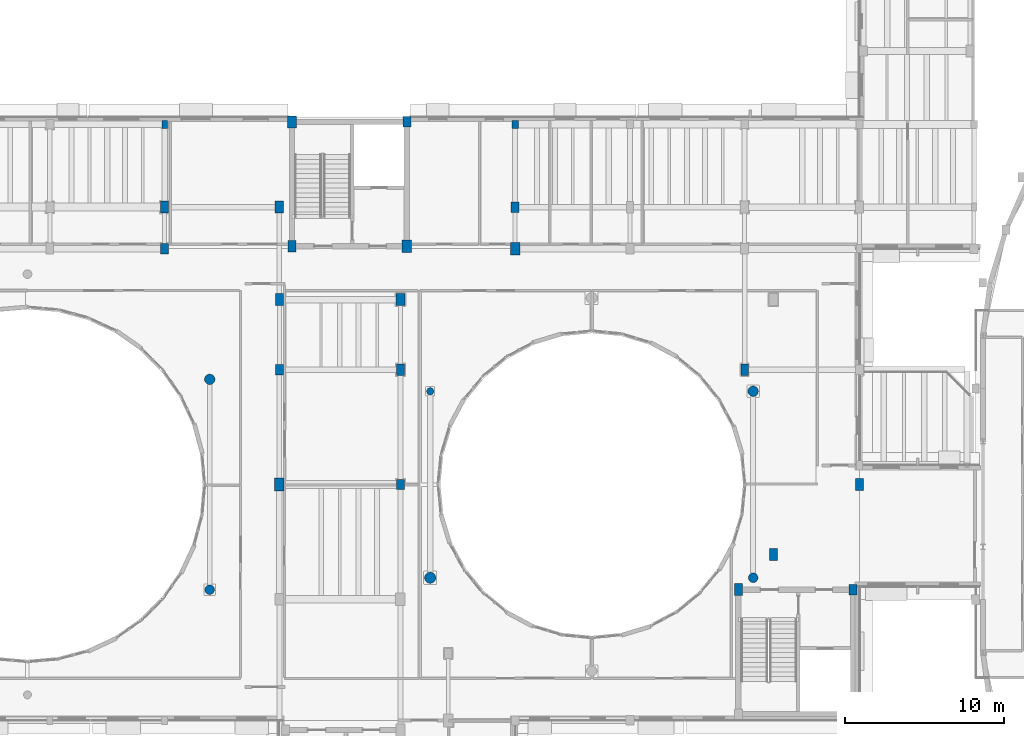
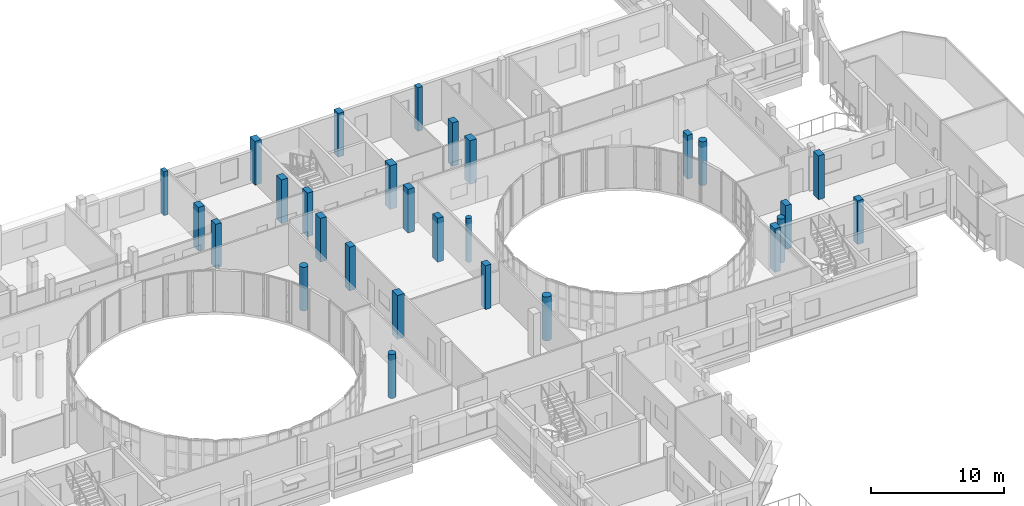
# One storey, part 9 of 92: 28 columns.
"""IFC4 building model written with IfcOpenShell, lengths in metres."""

from ifc_helpers import new_model, si_unit, direction, frame, origin, origin_2d, place, context, subcontext, project, spatial, rectangle, circle, extrude, material, material_profile, profile_set, type_object, element, save


model = new_model("IFC4")

# Units and contexts
model_context = context("Model", 3, precision=1e-05, world=origin(), true_north=direction((0.0, 1.0)))
body_context = subcontext(model_context, "Body", "Model", "MODEL_VIEW")
ifc_project = project(units=[si_unit("LENGTHUNIT", "METRE"), si_unit("AREAUNIT", "SQUARE_METRE"), si_unit("VOLUMEUNIT", "CUBIC_METRE"), si_unit("PLANEANGLEUNIT", "RADIAN"), si_unit("MASSUNIT", "GRAM", prefix="KILO")], contexts=[model_context])

# Site, building, storey
site_placement = place(None, origin())
site = spatial("IfcSite", under=ifc_project, at=site_placement, CompositionType="ELEMENT")
building_placement = place(site_placement, origin())
building = spatial("IfcBuilding", under=site, at=building_placement, Name="Kelanivale Promenade Academy", CompositionType="ELEMENT")
storey_placement = place(building_placement, frame((0.0, 0.0, 8.199951171875)))
storey = spatial("IfcBuildingStorey", under=building, at=storey_placement, Name="L02", CompositionType="ELEMENT", Elevation=8.199951171875)

# Columns
ifc_material = material(Name="Concrete C40/50", Category="concrete")
ifc_material_profile_1 = material_profile(ifc_material, rectangle(XDim=0.449951171875, YDim=0.699951171875, at=origin_2d()), Name="RC-COL 450x700")
ifc_profile_set_1 = profile_set([ifc_material_profile_1], Name="Concrete C40/50")
column_type_1 = type_object("IfcColumnType", Name="C-10 RC-COL 450x700", PredefinedType="COLUMN", material=ifc_profile_set_1)
column_1_placement = place(storey_placement, frame((108.39990234375, 64.0, 0.0), z_axis=(0.0, 0.0, 1.0), x_axis=(1.0, 0.0, 0.0)))
element("IfcColumn", 1, at=column_1_placement, inside=storey, type_object=column_type_1, Name="Column C-10 at (108.4, 64.0) L02", PredefinedType="COLUMN", context=body_context, shape_type="SweptSolid", body=[
    extrude(rectangle(XDim=0.449951171875, YDim=0.699951171875, at=origin_2d()), origin(), (0.0, 0.0, 1.0), 4.0),
])
ifc_material_profile_2 = material_profile(ifc_material, rectangle(XDim=0.5, YDim=0.64990234375, at=origin_2d()), Name="RC-COL 500x650")
ifc_profile_set_2 = profile_set([ifc_material_profile_2], Name="Concrete C40/50")
column_type_2 = type_object("IfcColumnType", Name="C-11 RC-COL 500x650", PredefinedType="COLUMN", material=ifc_profile_set_2)
for number, where, z_axis, x_axis, name in (
    (2, (72.0, 71.60009765625, 0.0), (0.0, 0.0, 1.0), (1.0, 0.0, 0.0), "Column C-11 at (72.0, 71.6) L02"),
    (3, (79.199951171875, 64.0, 0.0), (0.0, 0.0, 1.0), (1.0, 0.0, 0.0), "Column C-11 at (79.2, 64.0) L02"),
    (4, (86.800048828125, 56.800048828125, 0.0), (0.0, 0.0, 1.0), (1.0, 0.0, 0.0), "Column C-11 at (86.8, 56.8) L02"),
    (5, (87.199951171875, 79.550048828125, 0.0), (0.0, 0.0, 1.0), (1.0, 0.0, 0.0), "Column C-11 at (87.2, 79.5) L02"),
    (6, (94.0, 74.199951171875, 0.0), (0.0, 0.0, 1.0), (1.0, 0.0, 0.0), "Column C-11 at (94.0, 74.2) L02"),
    (7, (115.199951171875, 50.199951171875, 0.0), (0.0, 0.0, 1.0), (1.0, 0.0, 0.0), "Column C-11 at (115.2, 50.2) L02"),
):
    element("IfcColumn", number, at=place(storey_placement, frame(where, z_axis=z_axis, x_axis=x_axis)), inside=storey, type_object=column_type_2, Name=name, PredefinedType="COLUMN", context=body_context, shape_type="SweptSolid", body=[
        extrude(rectangle(XDim=0.5, YDim=0.64990234375, at=origin_2d()), origin(), (0.0, 0.0, 1.0), 4.0),
    ])
ifc_material_profile_3 = material_profile(ifc_material, rectangle(XDim=0.5, YDim=0.75, at=origin_2d()), Name="RC-COL 500x750")
ifc_profile_set_3 = profile_set([ifc_material_profile_3], Name="Concrete C40/50")
column_type_3 = type_object("IfcColumnType", Name="C-12 RC-COL 500x750", PredefinedType="COLUMN", material=ifc_profile_set_3)
for number, where, z_axis, x_axis, name in (
    (8, (72.0, 74.199951171875, 0.0), (0.0, 0.0, 1.0), (1.0, 0.0, 0.0), "Column C-12 at (72.0, 74.2) L02"),
    (9, (79.199951171875, 68.39990234375, 0.0), (0.0, 0.0, 1.0), (1.0, 0.0, 0.0), "Column C-12 at (79.2, 68.4) L02"),
    (10, (80.0, 71.75, 0.0), (0.0, 0.0, 1.0), (1.0, 0.0, 0.0), "Column C-12 at (80.0, 71.8) L02"),
    (11, (86.800048828125, 64.0, 0.0), (0.0, 0.0, 1.0), (1.0, 0.0, 0.0), "Column C-12 at (86.8, 64.0) L02"),
    (12, (108.0, 50.199951171875, 0.0), (0.0, 0.0, 1.0), (1.0, 0.0, 0.0), "Column C-12 at (108.0, 50.2) L02"),
    (13, (110.199951171875, 52.39990234375, 0.0), (0.0, 0.0, 1.0), (1.0, 0.0, 0.0), "Column C-12 at (110.2, 52.4) L02"),
    (14, (115.60009765625, 56.800048828125, 0.0), (0.0, 0.0, 1.0), (1.0, 0.0, 0.0), "Column C-12 at (115.6, 56.8) L02"),
):
    element("IfcColumn", number, at=place(storey_placement, frame(where, z_axis=z_axis, x_axis=x_axis)), inside=storey, type_object=column_type_3, Name=name, PredefinedType="COLUMN", context=body_context, shape_type="SweptSolid", body=[
        extrude(rectangle(XDim=0.5, YDim=0.75, at=origin_2d()), origin(), (0.0, 0.0, 1.0), 4.0),
    ])
ifc_material_profile_4 = material_profile(ifc_material, rectangle(XDim=0.550048828125, YDim=0.75, at=origin_2d()), Name="RC-COL 550x750")
ifc_profile_set_4 = profile_set([ifc_material_profile_4], Name="Concrete C40/50")
column_type_4 = type_object("IfcColumnType", Name="C-13 RC-COL 550x750", PredefinedType="COLUMN", material=ifc_profile_set_4)
for number, where, z_axis, x_axis, name in (
    (15, (79.199951171875, 74.199951171875, 0.0), (0.0, 0.0, 1.0), (1.0, 0.0, 0.0), "Column C-13 at (79.2, 74.2) L02"),
    (16, (80.0, 79.550048828125, 0.0), (0.0, 0.0, 1.0), (1.0, 0.0, 0.0), "Column C-13 at (80.0, 79.5) L02"),
    (17, (86.800048828125, 68.39990234375, 0.0), (0.0, 0.0, 1.0), (1.0, 0.0, 0.0), "Column C-13 at (86.8, 68.4) L02"),
):
    element("IfcColumn", number, at=place(storey_placement, frame(where, z_axis=z_axis, x_axis=x_axis)), inside=storey, type_object=column_type_4, Name=name, PredefinedType="COLUMN", context=body_context, shape_type="SweptSolid", body=[
        extrude(rectangle(XDim=0.550048828125, YDim=0.75, at=origin_2d()), origin(), (0.0, 0.0, 1.0), 4.0),
    ])
ifc_material_profile_5 = material_profile(ifc_material, rectangle(XDim=0.60009765625, YDim=0.800048828125, at=origin_2d()), Name="RC-COL 600x800")
ifc_profile_set_5 = profile_set([ifc_material_profile_5], Name="Concrete C40/50")
column_type_5 = type_object("IfcColumnType", Name="C-14 RC-COL 600x800", PredefinedType="COLUMN", material=ifc_profile_set_5)
for number, where, z_axis, x_axis, name in (
    (18, (79.199951171875, 56.800048828125, 0.0), (0.0, 0.0, 1.0), (1.0, 0.0, 0.0), "Column C-14 at (79.2, 56.8) L02"),
    (19, (87.199951171875, 71.75, 0.0), (0.0, 0.0, 1.0), (1.0, 0.0, 0.0), "Column C-14 at (87.2, 71.8) L02"),
    (20, (94.0, 71.60009765625, 0.0), (0.0, 0.0, 1.0), (1.0, 0.0, 0.0), "Column C-14 at (94.0, 71.6) L02"),
):
    element("IfcColumn", number, at=place(storey_placement, frame(where, z_axis=z_axis, x_axis=x_axis)), inside=storey, type_object=column_type_5, Name=name, PredefinedType="COLUMN", context=body_context, shape_type="SweptSolid", body=[
        extrude(rectangle(XDim=0.60009765625, YDim=0.800048828125, at=origin_2d()), origin(), (0.0, 0.0, 1.0), 4.0),
    ])
ifc_material_profile_6 = material_profile(ifc_material, circle(Radius=0.22509765625, at=origin_2d()), Name="RC-COL D450")
ifc_profile_set_6 = profile_set([ifc_material_profile_6], Name="Concrete C40/50")
column_type_6 = type_object("IfcColumnType", Name="CC-19 RC-COL D450", PredefinedType="COLUMN", material=ifc_profile_set_6)
column_2_placement = place(storey_placement, frame((88.66796875, 62.64990234375, 0.0), z_axis=(0.0, 0.0, 1.0), x_axis=(1.0, 0.0, 0.0)))
element("IfcColumn", 21, at=column_2_placement, inside=storey, type_object=column_type_6, Name="Column CC-19 at (88.7, 62.6) L02", PredefinedType="COLUMN", context=body_context, shape_type="SweptSolid", body=[
    extrude(circle(Radius=0.22509765625, at=origin_2d()), origin(), (0.0, 0.0, 1.0), 4.0),
])
ifc_material_profile_7 = material_profile(ifc_material, circle(Radius=0.300048828125, at=origin_2d()), Name="RC-COL D600")
ifc_profile_set_7 = profile_set([ifc_material_profile_7], Name="Concrete C40/50")
column_type_7 = type_object("IfcColumnType", Name="CC-22 RC-COL D600", PredefinedType="COLUMN", material=ifc_profile_set_7)
for number, where, z_axis, x_axis, name in (
    (22, (74.83203125, 50.199951171875, 0.0), (0.0, 0.0, 1.0), (1.0, 0.0, 0.0), "Column CC-22 at (74.8, 50.2) L02"),
    (23, (108.931884765625, 50.949951171875, 0.0), (0.0, 0.0, 1.0), (1.0, 0.0, 0.0), "Column CC-22 at (108.9, 51.0) L02"),
):
    element("IfcColumn", number, at=place(storey_placement, frame(where, z_axis=z_axis, x_axis=x_axis)), inside=storey, type_object=column_type_7, Name=name, PredefinedType="COLUMN", context=body_context, shape_type="SweptSolid", body=[
        extrude(circle(Radius=0.300048828125, at=origin_2d()), origin(), (0.0, 0.0, 1.0), 4.0),
    ])
ifc_material_profile_8 = material_profile(ifc_material, circle(Radius=0.324951171875, at=origin_2d()), Name="RC-COL D650")
ifc_profile_set_8 = profile_set([ifc_material_profile_8], Name="Concrete C40/50")
column_type_8 = type_object("IfcColumnType", Name="CC-23 RC-COL D650", PredefinedType="COLUMN", material=ifc_profile_set_8)
for number, where, z_axis, x_axis, name in (
    (24, (74.83203125, 63.39990234375, 0.0), (0.0, 0.0, 1.0), (1.0, 0.0, 0.0), "Column CC-23 at (74.8, 63.4) L02"),
    (25, (108.931884765625, 62.64990234375, 0.0), (0.0, 0.0, 1.0), (1.0, 0.0, 0.0), "Column CC-23 at (108.9, 62.6) L02"),
):
    element("IfcColumn", number, at=place(storey_placement, frame(where, z_axis=z_axis, x_axis=x_axis)), inside=storey, type_object=column_type_8, Name=name, PredefinedType="COLUMN", context=body_context, shape_type="SweptSolid", body=[
        extrude(circle(Radius=0.324951171875, at=origin_2d()), origin(), (0.0, 0.0, 1.0), 4.0),
    ])
ifc_material_profile_9 = material_profile(ifc_material, circle(Radius=0.35009765625, at=origin_2d()), Name="RC-COL D700")
ifc_profile_set_9 = profile_set([ifc_material_profile_9], Name="Concrete C40/50")
column_type_9 = type_object("IfcColumnType", Name="CC-24 RC-COL D700", PredefinedType="COLUMN", material=ifc_profile_set_9)
column_3_placement = place(storey_placement, frame((88.66796875, 50.949951171875, 0.0), z_axis=(0.0, 0.0, 1.0), x_axis=(1.0, 0.0, 0.0)))
element("IfcColumn", 26, at=column_3_placement, inside=storey, type_object=column_type_9, Name="Column CC-24 at (88.7, 51.0) L02", PredefinedType="COLUMN", context=body_context, shape_type="SweptSolid", body=[
    extrude(circle(Radius=0.35009765625, at=origin_2d()), origin(), (0.0, 0.0, 1.0), 4.0),
])
ifc_material_profile_10 = material_profile(ifc_material, rectangle(XDim=0.35009765625, YDim=0.5, at=origin_2d()), Name="RC-PIL 350x500")
ifc_profile_set_10 = profile_set([ifc_material_profile_10], Name="Concrete C40/50")
column_type_10 = type_object("IfcColumnType", Name="PL-15 RC-PIL 350x500", PredefinedType="PILASTER", material=ifc_profile_set_10)
column_4_placement = place(storey_placement, frame((72.0, 79.39990234375, 0.0), z_axis=(0.0, 0.0, 1.0), x_axis=(1.0, 0.0, 0.0)))
element("IfcColumn", 27, at=column_4_placement, inside=storey, type_object=column_type_10, Name="Column PL-15 at (72.0, 79.4) L02", PredefinedType="PILASTER", context=body_context, shape_type="SweptSolid", body=[
    extrude(rectangle(XDim=0.35009765625, YDim=0.5, at=origin_2d()), origin(), (0.0, 0.0, 1.0), 4.0),
])
ifc_material_profile_11 = material_profile(ifc_material, rectangle(XDim=0.39990234375, YDim=0.5, at=origin_2d()), Name="RC-PIL 400x500")
ifc_profile_set_11 = profile_set([ifc_material_profile_11], Name="Concrete C40/50")
column_type_11 = type_object("IfcColumnType", Name="PL-16 RC-PIL 400x500", PredefinedType="PILASTER", material=ifc_profile_set_11)
column_5_placement = place(storey_placement, frame((94.0, 79.39990234375, 0.0), z_axis=(0.0, 0.0, 1.0), x_axis=(1.0, 0.0, 0.0)))
element("IfcColumn", 28, at=column_5_placement, inside=storey, type_object=column_type_11, Name="Column PL-16 at (94.0, 79.4) L02", PredefinedType="PILASTER", context=body_context, shape_type="SweptSolid", body=[
    extrude(rectangle(XDim=0.39990234375, YDim=0.5, at=origin_2d()), origin(), (0.0, 0.0, 1.0), 4.0),
])

save(model, "model.ifc")
